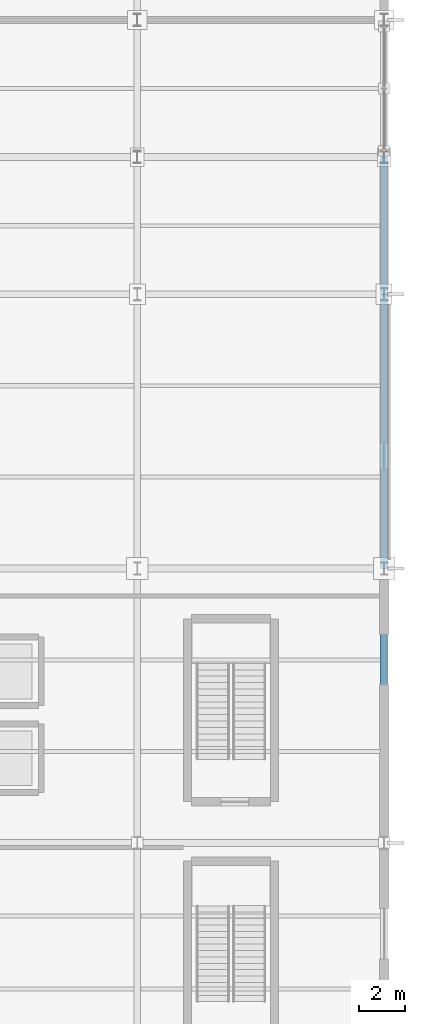
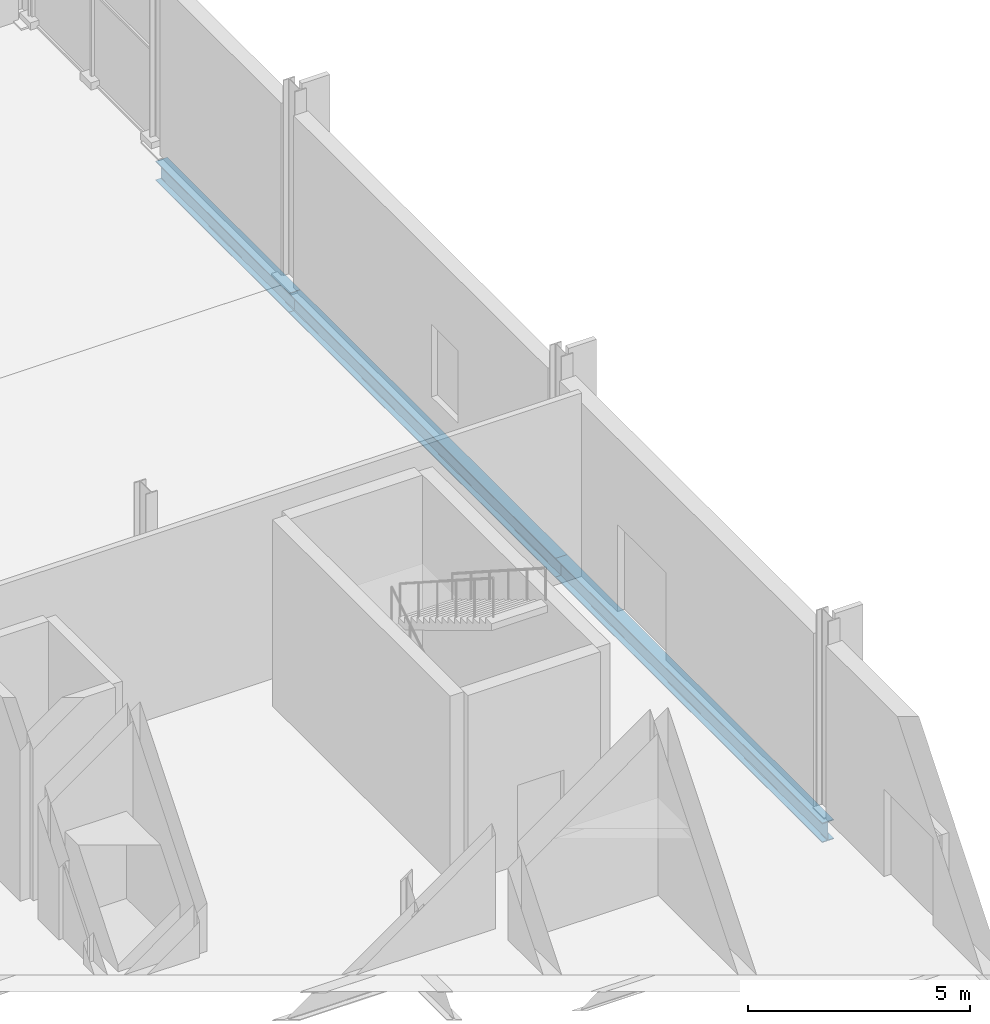
# One storey, part 142 of 196: 3 beams.
"""IFC4 building model written with IfcOpenShell, lengths in metres."""

from ifc_helpers import new_model, si_unit, direction, frame, origin, origin_2d, place, context, subcontext, project, spatial, i_section, extrude, material, material_profile, profile_set, type_object, element, save


model = new_model("IFC4")

# Units and contexts
model_context = context("Model", 3, precision=1e-05, world=origin(), true_north=direction((0.0, 1.0)))
body_context = subcontext(model_context, "Body", "Model", "MODEL_VIEW")
ifc_project = project(units=[si_unit("LENGTHUNIT", "METRE"), si_unit("AREAUNIT", "SQUARE_METRE"), si_unit("VOLUMEUNIT", "CUBIC_METRE"), si_unit("PLANEANGLEUNIT", "RADIAN"), si_unit("MASSUNIT", "GRAM", prefix="KILO")], contexts=[model_context])

# Site, building, storey
site_placement = place(None, origin())
site = spatial("IfcSite", under=ifc_project, at=site_placement, CompositionType="ELEMENT")
building_placement = place(site_placement, origin())
building = spatial("IfcBuilding", under=site, at=building_placement, Name="Merenkruunu Market Hall", CompositionType="ELEMENT")
storey_placement = place(building_placement, origin())
storey = spatial("IfcBuildingStorey", under=building, at=storey_placement, Name="L00", CompositionType="ELEMENT", Elevation=0.0)

# Beams
ifc_material = material(Name="Steel S355J2", Category="steel")
ifc_material_profile = material_profile(ifc_material, i_section(OverallWidth=0.300048828125, OverallDepth=0.5400390625, WebThickness=0.012451171875, FlangeThickness=0.02392578125, FilletRadius=0.027099609375, at=origin_2d()), Name="HEA 550")
ifc_profile_set = profile_set([ifc_material_profile], Name="Steel S355J2")
beam_type = type_object("IfcBeamType", Name="Primary Floor Girder B06", PredefinedType="BEAM", material=ifc_profile_set)
for number, where, z_axis, x_axis, name in (
    (1, (192.0, 15.60009765625, -0.570068359375), (0.0, 1.0, 0.0), (-1.0, 0.0, 0.0), "BM-L00-B06-0269"),
    (2, (192.0, 27.60009765625, -0.570068359375), (0.0, 1.0, 0.0), (-1.0, 0.0, 0.0), "BM-L00-B06-0270"),
):
    element("IfcBeam", number, at=place(storey_placement, frame(where, z_axis=z_axis, x_axis=x_axis)), inside=storey, type_object=beam_type, Name=name, PredefinedType="BEAM", context=body_context, shape_type="SweptSolid", body=[
        extrude(i_section(OverallWidth=0.300048828125, OverallDepth=0.5400390625, WebThickness=0.012451171875, FlangeThickness=0.02392578125, FilletRadius=0.027099609375, at=origin_2d()), origin(), (0.0, 0.0, 1.0), 12.0),
    ])
beam_placement = place(storey_placement, frame((192.0, 39.60009765625, -0.570068359375), z_axis=(0.0, 1.0, 0.0), x_axis=(-1.0, 0.0, 0.0)))
element("IfcBeam", 3, at=beam_placement, inside=storey, type_object=beam_type, Name="BM-L00-B06-0271", PredefinedType="BEAM", context=body_context, shape_type="SweptSolid", body=[
    extrude(i_section(OverallWidth=0.300048828125, OverallDepth=0.5400390625, WebThickness=0.012451171875, FlangeThickness=0.02392578125, FilletRadius=0.027099609375, at=origin_2d()), origin(), (0.0, 0.0, 1.0), 6.0),
])

save(model, "model.ifc")
